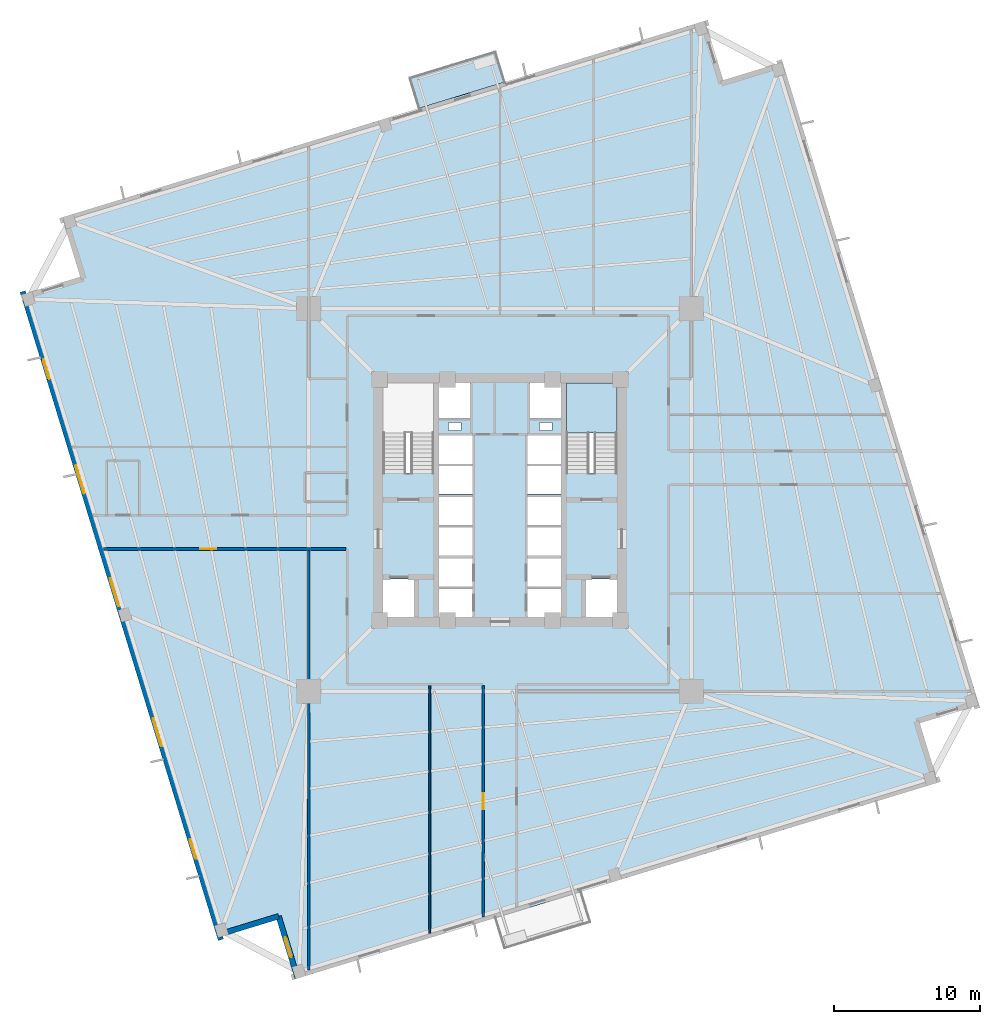
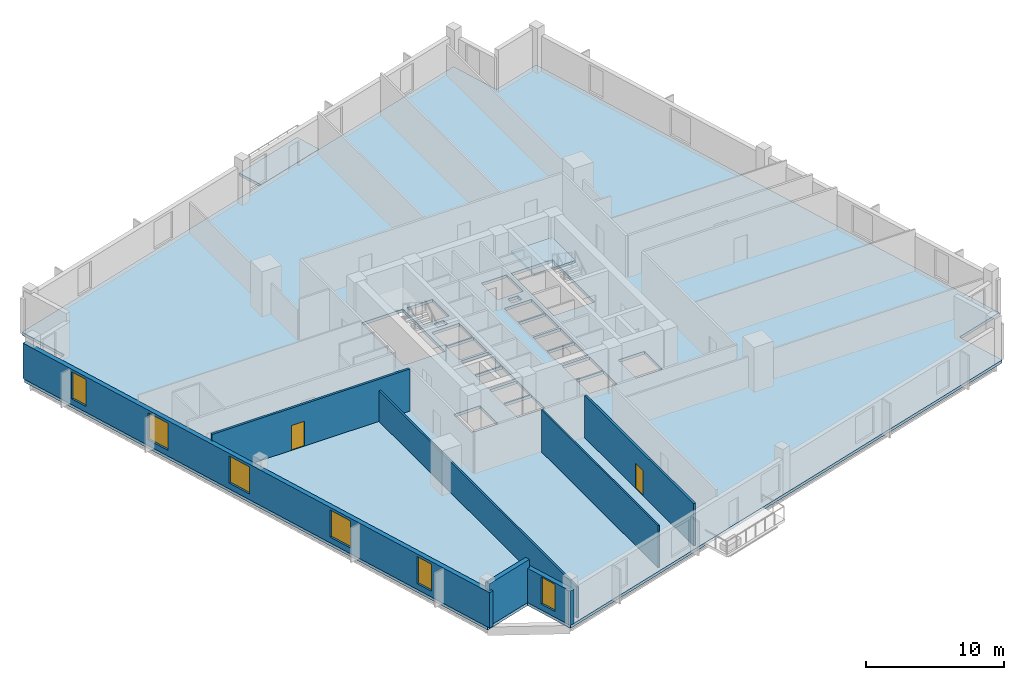
# One storey, part 2 of 9: 7 walls, 6 windows, 3 slabs, 2 doors, 8 openings, 1 element without a shape of its own.
"""IFC4 building model written with IfcOpenShell, lengths in metres."""

import ifcopenshell
import ifcopenshell.guid

model = None  # the IFC model being written
_history = None  # IfcOwnerHistory: only IFC2X3 demands one
_inside = {}  # id of a spatial element -> (the spatial element, [elements in it])
_under = {}  # id of a project, library or spatial element -> (it, [spatial elements below it])
_declared = {}  # id of a project -> (the project, [libraries it declares])
_typed = {}  # id of a type object -> (the type object, [elements of that type])
_made_of = {}  # id of a material, layer set ... -> (it, [elements and type objects made of it])


def new_model(schema):
    """Start an empty IFC model of exactly this schema.

    Asked for "IFC4X3", IfcOpenShell would pick the latest addendum, in which some entities
    have other attributes; the version numbers below select the first issue.
    IFC2X3 requires an IfcOwnerHistory on every rooted entity: one is made here for all.
    """
    global model, _history
    if schema == "IFC4X3":
        model = ifcopenshell.file(schema_version=(4, 3, 0, 0))
    else:
        model = ifcopenshell.file(schema=schema)
    _inside.clear()
    _under.clear()
    _declared.clear()
    _typed.clear()
    _made_of.clear()
    _history = None
    if model.schema == "IFC2X3":
        org = make("IfcOrganization", Name="unknown")
        user = make(
            "IfcPersonAndOrganization",
            ThePerson=make("IfcPerson", FamilyName="unknown"),
            TheOrganization=org,
        )
        app = make(
            "IfcApplication",
            ApplicationDeveloper=org,
            Version="unknown",
            ApplicationFullName="unknown",
            ApplicationIdentifier="unknown",
        )
        _history = make(
            "IfcOwnerHistory",
            OwningUser=user,
            OwningApplication=app,
            ChangeAction="ADDED",
            CreationDate=0,
        )
    return model


def make(cls, **values):
    """One entity of the class cls with the attributes given. An attribute that is None is left unset."""
    return model.create_entity(
        cls, **{name: value for name, value in values.items() if value is not None}
    )


def rooted(cls, **values):
    """An entity with a GlobalId (a new one), such as an element, a storey or a relation."""
    return make(cls, GlobalId=ifcopenshell.guid.new(), OwnerHistory=_history, **values)


def si_unit(unit_type, name, prefix=None):
    """IfcSIUnit, for example si_unit("LENGTHUNIT", "METRE", prefix="MILLI")."""
    return make("IfcSIUnit", UnitType=unit_type, Prefix=prefix, Name=name)


def assignment(units):
    """IfcUnitAssignment: the units of a project."""
    return None if units is None else make("IfcUnitAssignment", Units=units)


def point(xyz):
    """IfcCartesianPoint."""
    return None if xyz is None else make("IfcCartesianPoint", Coordinates=xyz)


def direction(xyz):
    """IfcDirection."""
    return None if xyz is None else make("IfcDirection", DirectionRatios=xyz)


def frame(location, z_axis=None, x_axis=None):
    """IfcAxis2Placement3D, a coordinate frame: its origin and axes. An axis left out is left unset."""
    return make(
        "IfcAxis2Placement3D",
        Location=point(location),
        Axis=direction(z_axis),
        RefDirection=direction(x_axis),
    )


def frame_2d(location, x_axis=None):
    """IfcAxis2Placement2D, a coordinate frame in the plane: its origin and x axis."""
    return make(
        "IfcAxis2Placement2D", Location=point(location), RefDirection=direction(x_axis)
    )


def origin():
    """The frame at (0, 0, 0) with its axes left unset."""
    return frame((0.0, 0.0, 0.0))


def place(relative_to, where):
    """IfcLocalPlacement: puts the frame where relative to a parent placement (None: the world)."""
    return make(
        "IfcLocalPlacement", PlacementRelTo=relative_to, RelativePlacement=where
    )


def context(
    kind, dimensions, precision=None, world=None, true_north=None, identifier=None
):
    """IfcGeometricRepresentationContext, for example the 3D "Model" context."""
    return make(
        "IfcGeometricRepresentationContext",
        ContextIdentifier=identifier,
        ContextType=kind,
        CoordinateSpaceDimension=dimensions,
        Precision=precision,
        WorldCoordinateSystem=world,
        TrueNorth=true_north,
    )


def subcontext(parent, identifier, kind, view, scale=None):
    """IfcGeometricRepresentationSubContext, for example "Body" below "Model"."""
    return make(
        "IfcGeometricRepresentationSubContext",
        ContextIdentifier=identifier,
        ContextType=kind,
        ParentContext=parent,
        TargetScale=scale,
        TargetView=view,
    )


def project(units=None, contexts=None):
    """IfcProject with its units and contexts."""
    return rooted(
        "IfcProject",
        Name="project",
        RepresentationContexts=contexts,
        UnitsInContext=assignment(units),
    )


def spatial(cls, under=None, at=None, **own):
    """A site, building, storey or space (cls), placed at a placement, below another one or the project."""
    s = rooted(cls, ObjectPlacement=at, **own)
    if under is not None:
        _under.setdefault(under.id(), (under, []))[1].append(s)
    return s


def polyline(points):
    """IfcPolyline through the points."""
    return make("IfcPolyline", Points=[point(p) for p in points])


def profile(cls, at=None, kind="AREA", **sizes):
    """A parametric profile (cls). Its sizes go by their IFC names, for example OverallWidth=200.0."""
    return make(cls, ProfileType=kind, Position=at, **sizes)


def rectangle(**sizes):
    """IfcRectangleProfileDef."""
    return profile("IfcRectangleProfileDef", **sizes)


def outline(outer, holes=None, kind="AREA"):
    """IfcArbitraryClosedProfileDef: a profile drawn as a closed curve; with holes, ...WithVoids."""
    if holes is None:
        return make("IfcArbitraryClosedProfileDef", ProfileType=kind, OuterCurve=outer)
    return make(
        "IfcArbitraryProfileDefWithVoids",
        ProfileType=kind,
        OuterCurve=outer,
        InnerCurves=holes,
    )


def extrude(swept, where, along, depth):
    """IfcExtrudedAreaSolid: the profile swept, set in the frame where, extruded along a direction by depth."""
    return make(
        "IfcExtrudedAreaSolid",
        SweptArea=swept,
        Position=where,
        ExtrudedDirection=direction(along),
        Depth=depth,
    )


def shape(context_of_items, identifier, shape_type, items):
    """IfcShapeRepresentation: the items that make up one representation, for example the "Body"."""
    return make(
        "IfcShapeRepresentation",
        ContextOfItems=context_of_items,
        RepresentationIdentifier=identifier,
        RepresentationType=shape_type,
        Items=items,
    )


def source(mapping_origin, context_of_items, identifier, shape_type, items):
    """IfcRepresentationMap: a shape defined once, which mapped items show again and again."""
    return make(
        "IfcRepresentationMap",
        MappingOrigin=mapping_origin,
        MappedRepresentation=shape(context_of_items, identifier, shape_type, items),
    )


def transform(
    local_origin,
    x_axis=None,
    y_axis=None,
    z_axis=None,
    scale=None,
    scale2=None,
    scale3=None,
    uniform=True,
):
    """IfcCartesianTransformationOperator3D, or its non-uniform kind. x_axis, y_axis, z_axis: its Axis1, 2, 3."""
    if uniform:
        return make(
            "IfcCartesianTransformationOperator3D",
            Axis1=direction(x_axis),
            Axis2=direction(y_axis),
            LocalOrigin=point(local_origin),
            Scale=scale,
            Axis3=direction(z_axis),
        )
    return make(
        "IfcCartesianTransformationOperator3DnonUniform",
        Axis1=direction(x_axis),
        Axis2=direction(y_axis),
        LocalOrigin=point(local_origin),
        Scale=scale,
        Axis3=direction(z_axis),
        Scale2=scale2,
        Scale3=scale3,
    )


def mapped(mapping_source, mapping_target):
    """IfcMappedItem: shows the shape of a source again, moved by a transform."""
    return make(
        "IfcMappedItem", MappingSource=mapping_source, MappingTarget=mapping_target
    )


def material(Name=None, Category=None):
    """IfcMaterial."""
    return make("IfcMaterial", Name=Name, Category=Category)


def layer(
    of_material, thickness, ventilated=None, Name=None, Category=None, Priority=None
):
    """IfcMaterialLayer: one layer of a wall or slab, of a material (None: an air gap)."""
    return make(
        "IfcMaterialLayer",
        Material=of_material,
        LayerThickness=thickness,
        IsVentilated=ventilated,
        Name=Name,
        Category=Category,
        Priority=Priority,
    )


def layer_set(layers, Name=None):
    """IfcMaterialLayerSet."""
    return make("IfcMaterialLayerSet", MaterialLayers=layers, LayerSetName=Name)


def made_of(thing, what):
    """Note that an element or type object is made of a material, layer set ...; save() writes the relation."""
    if what is not None:
        _made_of.setdefault(what.id(), (what, []))[1].append(thing)
    return thing


def type_object(cls, material=None, **own):
    """A type object (cls), such as IfcWallType, which elements share."""
    return made_of(rooted(cls, **own), material)


def element(
    cls,
    number,
    at=None,
    inside=None,
    cuts=None,
    type_object=None,
    material=None,
    context=None,
    identifier="Body",
    shape_type=None,
    held_by="IfcProductDefinitionShape",
    body=None,
    shapes=None,
    **own,
):
    """One element of the class cls, such as IfcWall. Its Tag is "e" and its number.

    at: its placement. inside: the storey or other place that contains it. cuts: it is an
    opening in that element (IfcRelVoidsElement). A single representation is given by context,
    identifier, shape_type and body (its items); several are given by shapes. held_by: the class
    of the entity that holds the representations. save() writes the other relations.
    """
    e = rooted(cls, Tag="e%d" % number, ObjectPlacement=at, **own)
    if body is not None:
        shapes = [shape(context, identifier, shape_type, body)]
    if shapes is not None:
        e.Representation = make(held_by, Representations=shapes)
    if inside is not None:
        _inside.setdefault(inside.id(), (inside, []))[1].append(e)
    if cuts is not None:
        rooted(
            "IfcRelVoidsElement", RelatingBuildingElement=cuts, RelatedOpeningElement=e
        )
    if type_object is not None:
        _typed.setdefault(type_object.id(), (type_object, []))[1].append(e)
    return made_of(e, material)


def fill(opening, filler):
    """IfcRelFillsElement: the door or window that sits in an opening."""
    return rooted(
        "IfcRelFillsElement",
        RelatingOpeningElement=opening,
        RelatedBuildingElement=filler,
    )


def aggregate(whole, parts):
    """IfcRelAggregates: a whole, such as a stair, and the parts it consists of."""
    return rooted("IfcRelAggregates", RelatingObject=whole, RelatedObjects=parts)


def save(model, path):
    """Write the relations noted so far, then the file.

    IfcRelAggregates (storeys below a building ...), IfcRelContainedInSpatialStructure (elements
    in a storey), IfcRelDefinesByType, IfcRelAssociatesMaterial and IfcRelDeclares: one each for
    every whole, place, type object, material and project.
    """
    for whole, parts in _under.values():
        aggregate(whole, parts)
    for where, things in _inside.values():
        rooted(
            "IfcRelContainedInSpatialStructure",
            RelatedElements=things,
            RelatingStructure=where,
        )
    for kind, things in _typed.values():
        rooted("IfcRelDefinesByType", RelatedObjects=things, RelatingType=kind)
    for what, things in _made_of.values():
        rooted("IfcRelAssociatesMaterial", RelatedObjects=things, RelatingMaterial=what)
    for by, libraries in _declared.values():
        rooted("IfcRelDeclares", RelatingContext=by, RelatedDefinitions=libraries)
    model.write(path)


model = new_model("IFC4")

# Units and contexts
model_context = context("Model", 3, precision=1e-05, world=origin(), true_north=direction((0.0, 1.0)))
body_context = subcontext(model_context, "Body", "Model", "MODEL_VIEW")
ifc_project = project(units=[si_unit("LENGTHUNIT", "METRE"), si_unit("AREAUNIT", "SQUARE_METRE"), si_unit("VOLUMEUNIT", "CUBIC_METRE"), si_unit("PLANEANGLEUNIT", "RADIAN"), si_unit("MASSUNIT", "GRAM", prefix="KILO"), si_unit("THERMODYNAMICTEMPERATUREUNIT", "KELVIN")], contexts=[model_context])

# Site, building, storey
site_placement = place(None, origin())
site = spatial("IfcSite", under=ifc_project, at=site_placement, CompositionType="ELEMENT")
building_placement = place(site_placement, origin())
building = spatial("IfcBuilding", under=site, at=building_placement, Name="Kosmvard Interchange Tower", CompositionType="ELEMENT")
storey_placement = place(building_placement, frame((0.0, 0.0, 127.199951171875)))
storey = spatial("IfcBuildingStorey", under=building, at=storey_placement, Name="L30", CompositionType="ELEMENT", Elevation=127.199951171875)

# Slab
ifc_material_1 = material(Name="Concrete C50/60", Category="concrete")
ifc_layer_1 = layer(ifc_material_1, 0.260009765625, Name="Concrete C50/60")
ifc_layer_set_1 = layer_set([ifc_layer_1], Name="Concrete C50/60")
slab_type_1 = type_object("IfcSlabType", Name="Mid-Rise Office Composite Slab 260 C50/60", PredefinedType="FLOOR", material=ifc_layer_set_1)
slab_1_placement = place(storey_placement, frame((0.0, 0.0, -0.260009765625)))
element("IfcSlab", 1, at=slab_1_placement, inside=storey, type_object=slab_type_1, Name="L30 Structural Floor Slab", PredefinedType="FLOOR", context=body_context, shape_type="SweptSolid", body=[
    extrude(outline(polyline([(-14.02783203125, -32.783935546875), (29.962158203125, -19.334716796875), (28.719482421875, -15.2705078125), (32.783935546875, -14.02783203125), (19.334716796875, 29.962158203125), (15.2705078125, 28.719482421875), (14.02783203125, 32.783935546875), (-29.962158203125, 19.334716796875), (-28.719482421875, 15.2705078125), (-32.783935546875, 14.02783203125), (-19.334716796875, -29.962158203125), (-15.2705078125, -28.719482421875), (-14.02783203125, -32.783935546875)]), holes=[polyline([(-8.0, 1.8349609375), (-4.5400390625, 1.8349609375), (-4.5400390625, 8.0), (-8.0, 8.0), (-8.0, 1.8349609375)]), polyline([(4.5400390625, 1.8349609375), (8.0, 1.8349609375), (8.0, 8.0), (4.5400390625, 8.0), (4.5400390625, 1.8349609375)]), polyline([(-8.0, -8.0), (-5.800048828125, -8.0), (-5.800048828125, -5.39990234375), (-8.0, -5.39990234375), (-8.0, -8.0)]), polyline([(5.800048828125, -8.0), (8.0, -8.0), (8.0, -5.39990234375), (5.800048828125, -5.39990234375), (5.800048828125, -8.0)]), polyline([(-4.179931640625, -8.0), (-1.8798828125, -8.0), (-1.8798828125, -6.06005859375), (-4.179931640625, -6.06005859375), (-4.179931640625, -8.0)]), polyline([(-4.179931640625, -5.93994140625), (-1.8798828125, -5.93994140625), (-1.8798828125, -4.0), (-4.179931640625, -4.0), (-4.179931640625, -5.93994140625)]), polyline([(1.8798828125, -8.0), (4.179931640625, -8.0), (4.179931640625, -6.06005859375), (1.8798828125, -6.06005859375), (1.8798828125, -8.0)]), polyline([(1.8798828125, -5.93994140625), (4.179931640625, -5.93994140625), (4.179931640625, -4.0), (1.8798828125, -4.0), (1.8798828125, -5.93994140625)]), polyline([(-4.179931640625, -3.800048828125), (-1.8798828125, -3.800048828125), (-1.8798828125, -1.860107421875), (-4.179931640625, -1.860107421875), (-4.179931640625, -3.800048828125)]), polyline([(-4.179931640625, -1.739990234375), (-1.8798828125, -1.739990234375), (-1.8798828125, 0.199951171875), (-4.179931640625, 0.199951171875), (-4.179931640625, -1.739990234375)]), polyline([(1.8798828125, -3.800048828125), (4.179931640625, -3.800048828125), (4.179931640625, -1.860107421875), (1.8798828125, -1.860107421875), (1.8798828125, -3.800048828125)]), polyline([(1.8798828125, -1.739990234375), (4.179931640625, -1.739990234375), (4.179931640625, 0.199951171875), (1.8798828125, 0.199951171875), (1.8798828125, -1.739990234375)]), polyline([(-4.179931640625, 0.39990234375), (-1.8798828125, 0.39990234375), (-1.8798828125, 2.340087890625), (-4.179931640625, 2.340087890625), (-4.179931640625, 0.39990234375)]), polyline([(-4.179931640625, 2.4599609375), (-1.8798828125, 2.4599609375), (-1.8798828125, 4.39990234375), (-4.179931640625, 4.39990234375), (-4.179931640625, 2.4599609375)]), polyline([(1.8798828125, 0.39990234375), (4.179931640625, 0.39990234375), (4.179931640625, 2.340087890625), (1.8798828125, 2.340087890625), (1.8798828125, 0.39990234375)]), polyline([(1.8798828125, 2.4599609375), (4.179931640625, 2.4599609375), (4.179931640625, 4.39990234375), (1.8798828125, 4.39990234375), (1.8798828125, 2.4599609375)]), polyline([(-4.179931640625, 5.60009765625), (-2.0400390625, 5.60009765625), (-2.0400390625, 8.0), (-4.179931640625, 8.0), (-4.179931640625, 5.60009765625)]), polyline([(2.0400390625, 5.60009765625), (4.179931640625, 5.60009765625), (4.179931640625, 8.0), (2.0400390625, 8.0), (2.0400390625, 5.60009765625)]), polyline([(-3.514892578125, 4.739990234375), (-2.6650390625, 4.739990234375), (-2.6650390625, 5.2900390625), (-3.514892578125, 5.2900390625), (-3.514892578125, 4.739990234375)]), polyline([(2.715087890625, 4.739990234375), (3.56494140625, 4.739990234375), (3.56494140625, 5.2900390625), (2.715087890625, 5.2900390625), (2.715087890625, 4.739990234375)])]), origin(), (0.0, 0.0, 1.0), 0.260009765625),
])

# Stair, slab
stair_type = type_object("IfcStairType", Name="Dog-Leg Core Exit Stair H4000 C50/60", PredefinedType="HALF_TURN_STAIR", material=ifc_material_1)
stair_placement = place(storey_placement, origin())
stair = element("IfcStair", 2, at=stair_placement, inside=storey, type_object=stair_type, Name="L30 Protected Exit Stair ST-2", PredefinedType="HALF_TURN_STAIR")
ifc_layer_2 = layer(ifc_material_1, 0.199951171875, Name="Concrete C50/60")
ifc_layer_set_2 = layer_set([ifc_layer_2], Name="Concrete C50/60")
slab_type_2 = type_object("IfcSlabType", Name="Stair Half-Landing Slab 200 C50/60", PredefinedType="LANDING", material=ifc_layer_set_2)
slab_2_placement = place(storey_placement, frame((0.0, 0.0, 1.800048828125)))
slab_2 = element("IfcSlab", 3, at=slab_2_placement, type_object=slab_type_2, Name="ST-2 landing 1", PredefinedType="LANDING", context=body_context, shape_type="SweptSolid", body=[
    extrude(outline(polyline([(8.0, 4.60009765625), (8.0, 8.0), (4.5400390625, 8.0), (4.5400390625, 4.60009765625), (8.0, 4.60009765625)])), origin(), (0.0, 0.0, 1.0), 0.199951171875),
])
aggregate(stair, [slab_2])

# Slab
ifc_layer_3 = layer(ifc_material_1, 0.22998046875, Name="Concrete C50/60")
ifc_layer_set_3 = layer_set([ifc_layer_3], Name="Concrete C50/60")
slab_type_3 = type_object("IfcSlabType", Name="Tree-Planter Cantilever Balcony Slab 230 C50/60", PredefinedType="FLOOR", material=ifc_layer_set_3)
slab_3_placement = place(storey_placement, frame((0.0, 0.0, -0.22998046875)))
element("IfcSlab", 4, at=slab_3_placement, inside=storey, type_object=slab_type_3, Name="L30 Outdoor Terrace Balcony Slab BAL-L30-N", PredefinedType="FLOOR", context=body_context, shape_type="SweptSolid", body=[
    extrude(outline(polyline([(-5.576416015625, 26.790283203125), (0.352783203125, 28.60302734375), (-0.29052734375, 30.706787109375), (-6.219482421875, 28.89404296875), (-5.576416015625, 26.790283203125)])), origin(), (0.0, 0.0, 1.0), 0.22998046875),
])

# Wall
ifc_material_2 = material(Name="Acoustic gypsum partition system")
ifc_layer_4 = layer(ifc_material_2, 0.14990234375, Name="Acoustic gypsum partition system")
ifc_layer_set_4 = layer_set([ifc_layer_4], Name="Acoustic gypsum partition system")
wall_type_1 = type_object("IfcWallType", Name="Acoustic Suite & Meeting Partition 150", PredefinedType="PARTITIONING", material=ifc_layer_set_4)
wall_1_placement = place(storey_placement, frame((-13.0810546875, -32.1650390625, 0.0), z_axis=(0.0, 0.0, 1.0), x_axis=(0.0, 1.0, 0.0)))
element("IfcWall", 5, at=wall_1_placement, inside=storey, type_object=wall_type_1, Name="L30 Room Partition 11.1", PredefinedType="PARTITIONING", context=body_context, shape_type="SweptSolid", body=[
    extrude(rectangle(XDim=28.719970703125, YDim=0.14990234375, at=frame_2d((14.35986328125, 0.0))), origin(), (0.0, 0.0, 1.0), 2.73193359375),
])

# Wall, opening, door
ifc_material_3 = material(Name="Fire-rated gypsum partition system")
ifc_layer_5 = layer(ifc_material_3, 0.179931640625, Name="Fire-rated gypsum partition system")
ifc_layer_set_5 = layer_set([ifc_layer_5], Name="Fire-rated gypsum partition system")
wall_type_2 = type_object("IfcWallType", Name="Corridor & Hotel Compartment Partition 180", PredefinedType="PARTITIONING", material=ifc_layer_set_5)
wall_2_placement = place(storey_placement, frame((-27.1416015625, -3.35009765625, 0.0), z_axis=(0.0, 0.0, 1.0), x_axis=(1.0, 0.0, 0.0)))
wall_2 = element("IfcWall", 6, at=wall_2_placement, inside=storey, type_object=wall_type_2, Name="L30 Corridor Wall SWS", PredefinedType="PARTITIONING", context=body_context, shape_type="SweptSolid", body=[
    extrude(rectangle(XDim=16.591552734375, YDim=0.179931640625, at=frame_2d((8.2958984375, 0.0))), origin(), (0.0, 0.0, 1.0), 3.739990234375),
])
opening_1_placement = place(wall_2_placement, frame((6.644775390625, 0.0, 0.0)))
opening_1 = element("IfcOpeningElement", 7, at=opening_1_placement, cuts=wall_2, Name="Opening L30-D13", PredefinedType="OPENING", context=body_context, shape_type="SweptSolid", body=[
    extrude(rectangle(XDim=1.10009765625, YDim=2.199951171875, at=frame_2d((0.550048828125, 1.10009765625))), frame((0.0, 0.10009765625, 0.0), z_axis=(0.0, -1.0, 0.0), x_axis=(1.0, 0.0, 0.0)), (0.0, 0.0, 1.0), 0.199951171875),
])
ifc_material_4 = material(Name="Engineered oak fire-rated timber", Category="wood")
door_type = type_object("IfcDoorType", Name="Office Suite Entrance Door 1100x2200 FD30S", OperationType="NOTDEFINED", PredefinedType="DOOR", material=ifc_material_4)
shared_shape_1 = source(origin(), body_context, "Body", "SweptSolid", [
    extrude(rectangle(XDim=1.10009765625, YDim=2.199951171875, at=frame_2d((0.550048828125, 1.10009765625))), frame((0.0, 0.02490234375, 0.0), z_axis=(0.0, -1.0, 0.0), x_axis=(1.0, 0.0, 0.0)), (0.0, 0.0, 1.0), 0.050048828125),
])
door_1_placement = place(opening_1_placement, frame((1.10009765625, 0.0, 0.0), z_axis=(0.0, 0.0, 1.0), x_axis=(-1.0, 0.0, 0.0)))
door_1 = element("IfcDoor", 8, at=door_1_placement, inside=storey, type_object=door_type, Name="L30 West Open Research Workplace Door", OperationType="SINGLE_SWING_LEFT", OverallHeight=2.199951171875, OverallWidth=1.10009765625, PredefinedType="DOOR", context=body_context, shape_type="MappedRepresentation", body=[
    mapped(shared_shape_1, transform((0.0, 0.0, 0.0), scale=1.0)),
])
fill(opening_1, door_1)

wall_3_placement = place(storey_placement, frame((-1.14990234375, -28.517333984375, 0.0), z_axis=(0.0, 0.0, 1.0), x_axis=(0.0, 1.0, 0.0)))
wall_3 = element("IfcWall", 9, at=wall_3_placement, inside=storey, type_object=wall_type_2, Name="L30 Corridor Wall SSW", PredefinedType="PARTITIONING", context=body_context, shape_type="SweptSolid", body=[
    extrude(rectangle(XDim=15.8173828125, YDim=0.179931640625, at=frame_2d((7.90869140625, 0.0))), origin(), (0.0, 0.0, 1.0), 3.739990234375),
])
opening_2_placement = place(wall_3_placement, frame((7.358642578125, 0.0, 0.0)))
opening_2 = element("IfcOpeningElement", 10, at=opening_2_placement, cuts=wall_3, Name="Opening L30-D15", PredefinedType="OPENING", context=body_context, shape_type="SweptSolid", body=[
    extrude(rectangle(XDim=1.10009765625, YDim=2.199951171875, at=frame_2d((0.550048828125, 1.10009765625))), frame((0.0, 0.10009765625, 0.0), z_axis=(0.0, -1.0, 0.0), x_axis=(1.0, 0.0, 0.0)), (0.0, 0.0, 1.0), 0.199951171875),
])
door_2_placement = place(opening_2_placement, origin())
door_2 = element("IfcDoor", 11, at=door_2_placement, inside=storey, type_object=door_type, Name="L30 Quiet Reading Study Door", OperationType="SINGLE_SWING_LEFT", OverallHeight=2.199951171875, OverallWidth=1.10009765625, PredefinedType="DOOR", context=body_context, shape_type="MappedRepresentation", body=[
    mapped(shared_shape_1, transform((0.0, 0.0, 0.0), scale=1.0)),
])
fill(opening_2, door_2)

# Wall, openings, windows
ifc_material_5 = material(Name="Precast concrete C45/55", Category="concrete")
ifc_layer_6 = layer(ifc_material_5, 0.3798828125, Name="Precast concrete C45/55")
ifc_layer_set_6 = layer_set([ifc_layer_6], Name="Precast concrete C45/55")
wall_type_3 = type_object("IfcWallType", Name="Lower Tower Precast Pier Wall 380 C45/55", PredefinedType="STANDARD", material=ifc_layer_set_6)
wall_4_placement = place(storey_placement, frame((-32.65771484375, 14.26513671875, 0.0), z_axis=(0.0, 0.0, 1.0), x_axis=(0.292373127906, -0.956304320851, 0.0)))
wall_4 = element("IfcWall", 12, at=wall_4_placement, inside=storey, type_object=wall_type_3, Name="L30 Precast Facade Wall F-W", PredefinedType="STANDARD", context=body_context, shape_type="SweptSolid", body=[
    extrude(rectangle(XDim=46.380126953125, YDim=0.3798828125, at=frame_2d((23.18994140625, 0.0))), origin(), (0.0, 0.0, 1.0), 3.14013671875),
])
opening_3_placement = place(wall_4_placement, frame((4.865478515625, 0.0, 0.510009765625)))
opening_3 = element("IfcOpeningElement", 13, at=opening_3_placement, cuts=wall_4, Name="Opening L30-W15", PredefinedType="OPENING", context=body_context, shape_type="SweptSolid", body=[
    extrude(rectangle(XDim=1.39990234375, YDim=2.39990234375, at=frame_2d((0.699951171875, 1.199951171875))), frame((0.0, 0.199951171875, 0.0), z_axis=(0.0, -1.0, 0.0), x_axis=(1.0, 0.0, 0.0)), (0.0, 0.0, 1.0), 0.39990234375),
])
opening_4_placement = place(wall_4_placement, frame((12.4501953125, 0.0, 0.510009765625)))
opening_4 = element("IfcOpeningElement", 14, at=opening_4_placement, cuts=wall_4, Name="Opening L30-W16", PredefinedType="OPENING", context=body_context, shape_type="SweptSolid", body=[
    extrude(rectangle(XDim=2.0, YDim=2.39990234375, at=frame_2d((1.0, 1.199951171875))), frame((0.0, 0.199951171875, 0.0), z_axis=(0.0, -1.0, 0.0), x_axis=(1.0, 0.0, 0.0)), (0.0, 0.0, 1.0), 0.39990234375),
])
opening_5_placement = place(wall_4_placement, frame((20.512451171875, 0.0, 0.510009765625)))
opening_5 = element("IfcOpeningElement", 15, at=opening_5_placement, cuts=wall_4, Name="Opening L30-W17", PredefinedType="OPENING", context=body_context, shape_type="SweptSolid", body=[
    extrude(rectangle(XDim=2.0, YDim=2.39990234375, at=frame_2d((1.0, 1.199951171875))), frame((0.0, 0.199951171875, 0.0), z_axis=(0.0, -1.0, 0.0), x_axis=(1.0, 0.0, 0.0)), (0.0, 0.0, 1.0), 0.39990234375),
])
opening_6_placement = place(wall_4_placement, frame((30.538330078125, 0.0, 0.510009765625)))
opening_6 = element("IfcOpeningElement", 16, at=opening_6_placement, cuts=wall_4, Name="Opening L30-W18", PredefinedType="OPENING", context=body_context, shape_type="SweptSolid", body=[
    extrude(rectangle(XDim=2.0, YDim=2.39990234375, at=frame_2d((1.0, 1.199951171875))), frame((0.0, 0.199951171875, 0.0), z_axis=(0.0, -1.0, 0.0), x_axis=(1.0, 0.0, 0.0)), (0.0, 0.0, 1.0), 0.39990234375),
])
opening_7_placement = place(wall_4_placement, frame((39.186767578125, 0.0, 0.510009765625)))
opening_7 = element("IfcOpeningElement", 17, at=opening_7_placement, cuts=wall_4, Name="Opening L30-W19", PredefinedType="OPENING", context=body_context, shape_type="SweptSolid", body=[
    extrude(rectangle(XDim=1.39990234375, YDim=2.39990234375, at=frame_2d((0.699951171875, 1.199951171875))), frame((0.0, 0.199951171875, 0.0), z_axis=(0.0, -1.0, 0.0), x_axis=(1.0, 0.0, 0.0)), (0.0, 0.0, 1.0), 0.39990234375),
])
ifc_material_6 = material(Name="Low-E solar-control double glazing", Category="glass")
window_type_1 = type_object("IfcWindowType", Name="Notched Corner Feature Window 1400x2400", PartitioningType="SINGLE_PANEL", PredefinedType="WINDOW", material=ifc_material_6)
shared_shape_2 = source(origin(), body_context, "Body", "SweptSolid", [
    extrude(rectangle(XDim=1.39990234375, YDim=2.39990234375, at=frame_2d((0.699951171875, 1.199951171875))), frame((0.0, 0.030029296875, 0.0), z_axis=(0.0, -1.0, 0.0), x_axis=(1.0, 0.0, 0.0)), (0.0, 0.0, 1.0), 0.06005859375),
])
window_1_placement = place(opening_3_placement, origin())
window_1 = element("IfcWindow", 18, at=window_1_placement, inside=storey, type_object=window_type_1, Name="L30 Facade Punched Window 15", OverallHeight=2.39990234375, OverallWidth=1.39990234375, PartitioningType="SINGLE_PANEL", PredefinedType="WINDOW", context=body_context, shape_type="MappedRepresentation", body=[
    mapped(shared_shape_2, transform((0.0, 0.0, 0.0), scale=1.0)),
])
fill(opening_3, window_1)
window_2_placement = place(opening_7_placement, origin())
window_2 = element("IfcWindow", 19, at=window_2_placement, inside=storey, type_object=window_type_1, Name="L30 Facade Punched Window 19", OverallHeight=2.39990234375, OverallWidth=1.39990234375, PartitioningType="SINGLE_PANEL", PredefinedType="WINDOW", context=body_context, shape_type="MappedRepresentation", body=[
    mapped(shared_shape_2, transform((0.0, 0.0, 0.0), scale=1.0)),
])
fill(opening_7, window_2)
window_type_2 = type_object("IfcWindowType", Name="Zone 2 Office Punched Window 2000x2400", PartitioningType="SINGLE_PANEL", PredefinedType="WINDOW", material=ifc_material_6)
shared_shape_3 = source(origin(), body_context, "Body", "SweptSolid", [
    extrude(rectangle(XDim=2.0, YDim=2.39990234375, at=frame_2d((1.0, 1.199951171875))), frame((0.0, 0.030029296875, 0.0), z_axis=(0.0, -1.0, 0.0), x_axis=(1.0, 0.0, 0.0)), (0.0, 0.0, 1.0), 0.06005859375),
])
window_3_placement = place(opening_4_placement, origin())
window_3 = element("IfcWindow", 20, at=window_3_placement, inside=storey, type_object=window_type_2, Name="L30 Facade Punched Window 16", OverallHeight=2.39990234375, OverallWidth=2.0, PartitioningType="SINGLE_PANEL", PredefinedType="WINDOW", context=body_context, shape_type="MappedRepresentation", body=[
    mapped(shared_shape_3, transform((0.0, 0.0, 0.0), scale=1.0)),
])
fill(opening_4, window_3)
window_4_placement = place(opening_5_placement, origin())
window_4 = element("IfcWindow", 21, at=window_4_placement, inside=storey, type_object=window_type_2, Name="L30 Facade Punched Window 17", OverallHeight=2.39990234375, OverallWidth=2.0, PartitioningType="SINGLE_PANEL", PredefinedType="WINDOW", context=body_context, shape_type="MappedRepresentation", body=[
    mapped(shared_shape_3, transform((0.0, 0.0, 0.0), scale=1.0)),
])
fill(opening_5, window_4)
window_5_placement = place(opening_6_placement, origin())
window_5 = element("IfcWindow", 22, at=window_5_placement, inside=storey, type_object=window_type_2, Name="L30 Facade Punched Window 18", OverallHeight=2.39990234375, OverallWidth=2.0, PartitioningType="SINGLE_PANEL", PredefinedType="WINDOW", context=body_context, shape_type="MappedRepresentation", body=[
    mapped(shared_shape_3, transform((0.0, 0.0, 0.0), scale=1.0)),
])
fill(opening_6, window_5)

# Wall
wall_5_placement = place(storey_placement, frame((-19.20849609375, -29.724853515625, 0.0), z_axis=(0.0, 0.0, 1.0), x_axis=(0.956312764915, 0.292345507338, 0.0)))
element("IfcWall", 23, at=wall_5_placement, inside=storey, type_object=wall_type_3, Name="L30 Precast Facade Wall N-SW1", PredefinedType="STANDARD", context=body_context, shape_type="SweptSolid", body=[
    extrude(rectangle(XDim=4.249755859375, YDim=0.3798828125, at=frame_2d((2.125, 0.0))), origin(), (0.0, 0.0, 1.0), 3.739990234375),
])

# Wall, opening, window
wall_6_placement = place(storey_placement, frame((-15.144287109375, -28.482421875, 0.0), z_axis=(0.0, 0.0, 1.0), x_axis=(0.292373601522, -0.956304176051, 0.0)))
wall_6 = element("IfcWall", 24, at=wall_6_placement, inside=storey, type_object=wall_type_3, Name="L30 Precast Facade Wall N-SW2", PredefinedType="STANDARD", context=body_context, shape_type="SweptSolid", body=[
    extrude(rectangle(XDim=4.43994140625, YDim=0.3798828125, at=frame_2d((2.219970703125, 0.0))), origin(), (0.0, 0.0, 1.0), 3.0400390625),
])
opening_8_placement = place(wall_6_placement, frame((1.52001953125, 0.0, 0.510009765625)))
opening_8 = element("IfcOpeningElement", 25, at=opening_8_placement, cuts=wall_6, Name="Opening L30-W23", PredefinedType="OPENING", context=body_context, shape_type="SweptSolid", body=[
    extrude(rectangle(XDim=1.39990234375, YDim=2.39990234375, at=frame_2d((0.699951171875, 1.199951171875))), frame((0.0, 0.199951171875, 0.0), z_axis=(0.0, -1.0, 0.0), x_axis=(1.0, 0.0, 0.0)), (0.0, 0.0, 1.0), 0.39990234375),
])
window_6_placement = place(opening_8_placement, origin())
window_6 = element("IfcWindow", 26, at=window_6_placement, inside=storey, type_object=window_type_1, Name="L30 Corner Notch Window 23", OverallHeight=2.39990234375, OverallWidth=1.39990234375, PartitioningType="SINGLE_PANEL", PredefinedType="WINDOW", context=body_context, shape_type="MappedRepresentation", body=[
    mapped(shared_shape_2, transform((0.0, 0.0, 0.0), scale=1.0)),
])
fill(opening_8, window_6)

# Wall
ifc_material_7 = material(Name="Gypsum board partition system")
ifc_layer_7 = layer(ifc_material_7, 0.1201171875, Name="Gypsum board partition system")
ifc_layer_set_7 = layer_set([ifc_layer_7], Name="Gypsum board partition system")
wall_type_4 = type_object("IfcWallType", Name="Office Cellular Partition 120", PredefinedType="PARTITIONING", material=ifc_layer_set_7)
wall_7_placement = place(storey_placement, frame((-4.800048828125, -29.63330078125, 0.0), z_axis=(0.0, 0.0, 1.0), x_axis=(0.0, 1.0, 0.0)))
element("IfcWall", 27, at=wall_7_placement, inside=storey, type_object=wall_type_4, Name="L30 Room Partition 12.1", PredefinedType="PARTITIONING", context=body_context, shape_type="SweptSolid", body=[
    extrude(rectangle(XDim=16.938232421875, YDim=0.1201171875, at=frame_2d((8.46923828125, 0.0))), origin(), (0.0, 0.0, 1.0), 3.739990234375),
])

save(model, "model.ifc")
